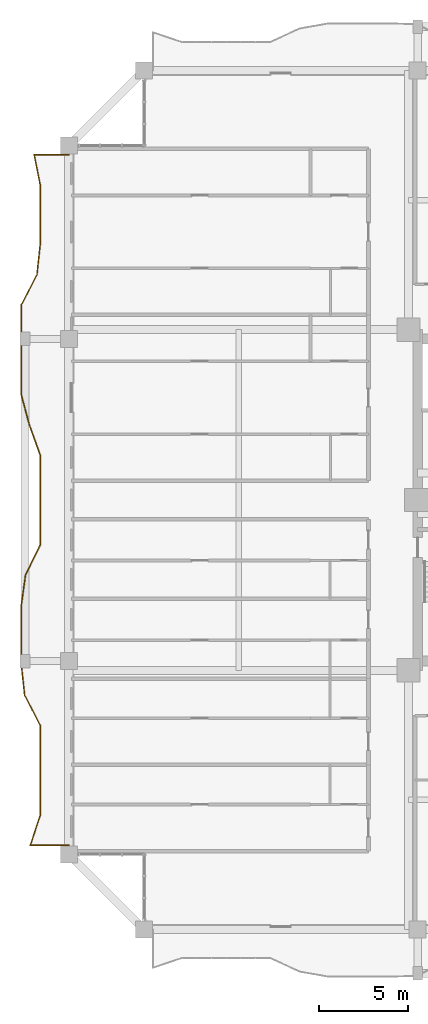
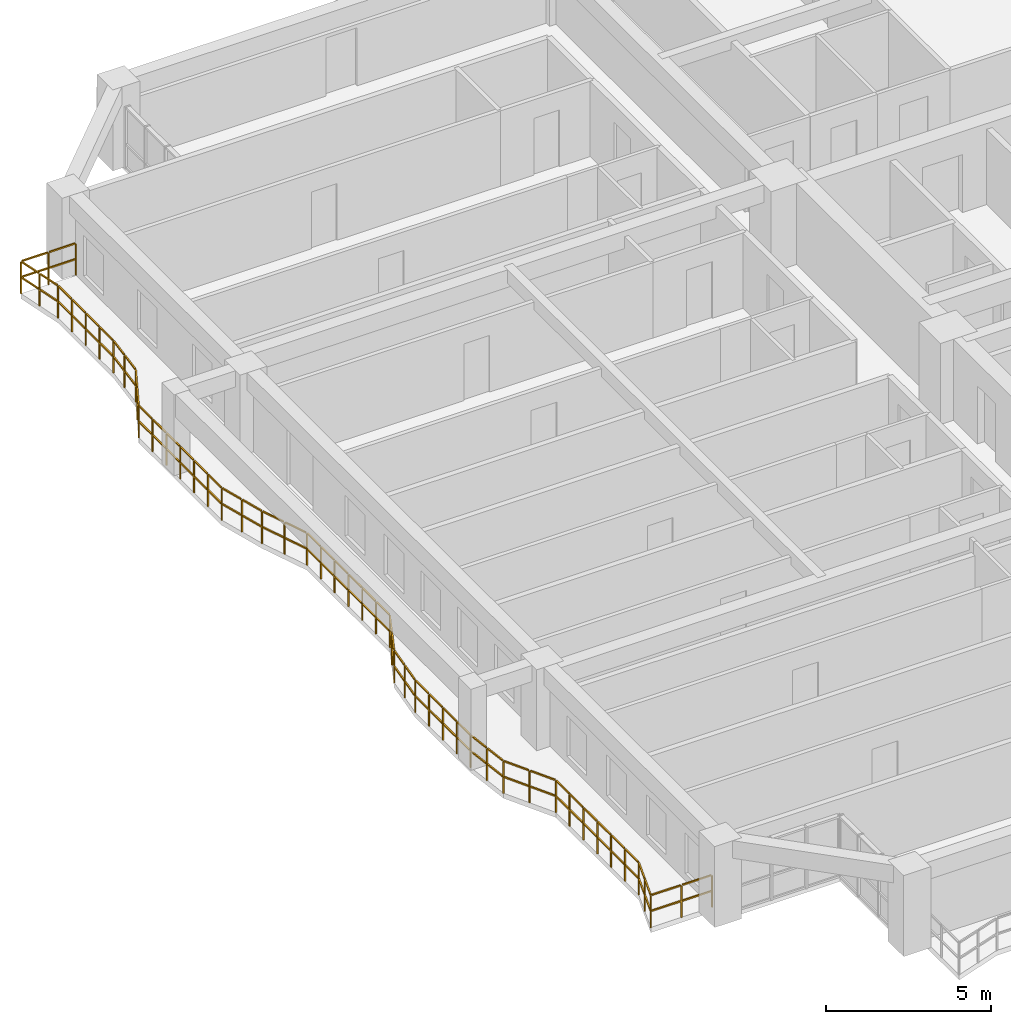
# One storey, part 21 of 24: 1 railing.
"""IFC4 building model written with IfcOpenShell, lengths in metres."""

from ifc_helpers import new_model, si_unit, direction, frame, origin, origin_2d, place, context, subcontext, project, spatial, rectangle, extrude, material, type_object, element, save


model = new_model("IFC4")

# Units and contexts
model_context = context("Model", 3, precision=1e-05, world=origin(), true_north=direction((0.0, 1.0)))
body_context = subcontext(model_context, "Body", "Model", "MODEL_VIEW")
ifc_project = project(units=[si_unit("LENGTHUNIT", "METRE"), si_unit("AREAUNIT", "SQUARE_METRE"), si_unit("VOLUMEUNIT", "CUBIC_METRE"), si_unit("PLANEANGLEUNIT", "RADIAN"), si_unit("MASSUNIT", "GRAM", prefix="KILO")], contexts=[model_context])

# Site, building, storey
site_placement = place(None, origin())
site = spatial("IfcSite", under=ifc_project, at=site_placement, CompositionType="ELEMENT")
building_placement = place(site_placement, origin())
building = spatial("IfcBuilding", under=site, at=building_placement, Name="Saelheon Loggia Tower", CompositionType="ELEMENT")
storey_placement = place(building_placement, frame((0.0, 0.0, 126.75)))
storey = spatial("IfcBuildingStorey", under=building, at=storey_placement, Name="L40", CompositionType="ELEMENT", Elevation=126.75)

# Railing
ifc_material = material(Name="Architectural Precast Concrete and Laminated Glass Guard", Category="concrete")
railing_type = type_object("IfcRailingType", Name="Guard_Loggia_RL_LOG", PredefinedType="BALUSTRADE", material=ifc_material)
railing_placement = place(storey_placement, frame((12.0, 46.300048828125, 0.0)))
element("IfcRailing", 1, at=railing_placement, inside=storey, type_object=railing_type, Name="L40 West Loggia Balustrade", PredefinedType="BALUSTRADE", context=body_context, shape_type="SweptSolid", body=[
    extrude(rectangle(XDim=0.048095703125, YDim=0.048095703125, at=origin_2d()), frame((-0.033203125, 0.0, 1.19580078125), z_axis=(-1.0, 0.0, 0.0), x_axis=(0.0, -1.0, 0.0)), (0.0, 0.0, 1.0), 0.900146484375),
    extrude(rectangle(XDim=0.048095703125, YDim=0.048095703125, at=origin_2d()), frame((-0.033203125, 0.0, 0.60986328125), z_axis=(-1.0, 0.0, 0.0), x_axis=(0.0, -1.0, 0.0)), (0.0, 0.0, 1.0), 0.900146484375),
    extrude(rectangle(XDim=0.048095703125, YDim=0.048095703125, at=origin_2d()), frame((-1.0, 0.0, 1.19580078125), z_axis=(-1.0, 0.0, 0.0), x_axis=(0.0, -1.0, 0.0)), (0.0, 0.0, 1.0), 0.900146484375),
    extrude(rectangle(XDim=0.048095703125, YDim=0.048095703125, at=origin_2d()), frame((-1.0, 0.0, 0.60986328125), z_axis=(-1.0, 0.0, 0.0), x_axis=(0.0, -1.0, 0.0)), (0.0, 0.0, 1.0), 0.900146484375),
    extrude(rectangle(XDim=0.048095703125, YDim=0.048095703125, at=origin_2d()), frame((-1.9267578125, -0.03271484375, 1.19580078125), z_axis=(0.194744119332, -0.980854080883, 0.0), x_axis=(0.980854080883, 0.194744119332, 0.0)), (0.0, 0.0, 1.0), 0.7890625),
    extrude(rectangle(XDim=0.048095703125, YDim=0.048095703125, at=origin_2d()), frame((-1.9267578125, -0.03271484375, 0.60986328125), z_axis=(0.194744119332, -0.980854080883, 0.0), x_axis=(0.980854080883, 0.194744119332, 0.0)), (0.0, 0.0, 1.0), 0.7890625),
    extrude(rectangle(XDim=0.048095703125, YDim=0.048095703125, at=origin_2d()), frame((-1.76025390625, -0.871826171875, 1.19580078125), z_axis=(0.194744119332, -0.980854080883, 0.0), x_axis=(0.980854080883, 0.194744119332, 0.0)), (0.0, 0.0, 1.0), 0.7890625),
    extrude(rectangle(XDim=0.048095703125, YDim=0.048095703125, at=origin_2d()), frame((-1.76025390625, -0.871826171875, 0.60986328125), z_axis=(0.194744119332, -0.980854080883, 0.0), x_axis=(0.980854080883, 0.194744119332, 0.0)), (0.0, 0.0, 1.0), 0.7890625),
    extrude(rectangle(XDim=0.048095703125, YDim=0.048095703125, at=origin_2d()), frame((-1.60009765625, -1.711669921875, 1.19580078125), z_axis=(0.0, -1.0, 0.0), x_axis=(1.0, 0.0, 0.0)), (0.0, 0.0, 1.0), 0.7724609375),
    extrude(rectangle(XDim=0.048095703125, YDim=0.048095703125, at=origin_2d()), frame((-1.60009765625, -1.711669921875, 0.60986328125), z_axis=(0.0, -1.0, 0.0), x_axis=(1.0, 0.0, 0.0)), (0.0, 0.0, 1.0), 0.7724609375),
    extrude(rectangle(XDim=0.048095703125, YDim=0.048095703125, at=origin_2d()), frame((-1.60009765625, -2.55078125, 1.19580078125), z_axis=(0.0, -1.0, 0.0), x_axis=(1.0, 0.0, 0.0)), (0.0, 0.0, 1.0), 0.7724609375),
    extrude(rectangle(XDim=0.048095703125, YDim=0.048095703125, at=origin_2d()), frame((-1.60009765625, -2.55078125, 0.60986328125), z_axis=(0.0, -1.0, 0.0), x_axis=(1.0, 0.0, 0.0)), (0.0, 0.0, 1.0), 0.7724609375),
    extrude(rectangle(XDim=0.048095703125, YDim=0.048095703125, at=origin_2d()), frame((-1.60009765625, -3.3896484375, 1.19580078125), z_axis=(0.0, -1.0, 0.0), x_axis=(1.0, 0.0, 0.0)), (0.0, 0.0, 1.0), 0.772705078125),
    extrude(rectangle(XDim=0.048095703125, YDim=0.048095703125, at=origin_2d()), frame((-1.60009765625, -3.3896484375, 0.60986328125), z_axis=(0.0, -1.0, 0.0), x_axis=(1.0, 0.0, 0.0)), (0.0, 0.0, 1.0), 0.772705078125),
    extrude(rectangle(XDim=0.048095703125, YDim=0.048095703125, at=origin_2d()), frame((-1.60009765625, -4.22900390625, 1.19580078125), z_axis=(0.0, -1.0, 0.0), x_axis=(1.0, 0.0, 0.0)), (0.0, 0.0, 1.0), 0.772705078125),
    extrude(rectangle(XDim=0.048095703125, YDim=0.048095703125, at=origin_2d()), frame((-1.60009765625, -4.22900390625, 0.60986328125), z_axis=(0.0, -1.0, 0.0), x_axis=(1.0, 0.0, 0.0)), (0.0, 0.0, 1.0), 0.772705078125),
    extrude(rectangle(XDim=0.048095703125, YDim=0.048095703125, at=origin_2d()), frame((-1.603759765625, -5.06787109375, 1.19580078125), z_axis=(-0.10731955736, -0.994224578558, 0.0), x_axis=(0.994224578558, -0.10731955736, 0.0)), (0.0, 0.0, 1.0), 0.777587890625),
    extrude(rectangle(XDim=0.048095703125, YDim=0.048095703125, at=origin_2d()), frame((-1.603759765625, -5.06787109375, 0.60986328125), z_axis=(-0.10731955736, -0.994224578558, 0.0), x_axis=(0.994224578558, -0.10731955736, 0.0)), (0.0, 0.0, 1.0), 0.777587890625),
    extrude(rectangle(XDim=0.048095703125, YDim=0.048095703125, at=origin_2d()), frame((-1.6943359375, -5.906982421875, 1.19580078125), z_axis=(-0.10731955736, -0.994224578558, 0.0), x_axis=(0.994224578558, -0.10731955736, 0.0)), (0.0, 0.0, 1.0), 0.777587890625),
    extrude(rectangle(XDim=0.048095703125, YDim=0.048095703125, at=origin_2d()), frame((-1.6943359375, -5.906982421875, 0.60986328125), z_axis=(-0.10731955736, -0.994224578558, 0.0), x_axis=(0.994224578558, -0.10731955736, 0.0)), (0.0, 0.0, 1.0), 0.777587890625),
    extrude(rectangle(XDim=0.048095703125, YDim=0.048095703125, at=origin_2d()), frame((-1.796630859375, -6.74267578125, 1.19580078125), z_axis=(-0.459675957683, -0.88808671532, 0.0), x_axis=(0.88808671532, -0.459675957683, 0.0)), (0.0, 0.0, 1.0), 0.87841796875),
    extrude(rectangle(XDim=0.048095703125, YDim=0.048095703125, at=origin_2d()), frame((-1.796630859375, -6.74267578125, 0.60986328125), z_axis=(-0.459675957683, -0.88808671532, 0.0), x_axis=(0.88808671532, -0.459675957683, 0.0)), (0.0, 0.0, 1.0), 0.87841796875),
    extrude(rectangle(XDim=0.048095703125, YDim=0.048095703125, at=origin_2d()), frame((-2.23095703125, -7.581787109375, 1.19580078125), z_axis=(-0.459675957683, -0.88808671532, 0.0), x_axis=(0.88808671532, -0.459675957683, 0.0)), (0.0, 0.0, 1.0), 0.87841796875),
    extrude(rectangle(XDim=0.048095703125, YDim=0.048095703125, at=origin_2d()), frame((-2.23095703125, -7.581787109375, 0.60986328125), z_axis=(-0.459675957683, -0.88808671532, 0.0), x_axis=(0.88808671532, -0.459675957683, 0.0)), (0.0, 0.0, 1.0), 0.87841796875),
    extrude(rectangle(XDim=0.048095703125, YDim=0.048095703125, at=origin_2d()), frame((-2.64990234375, -8.424560546875, 1.19580078125), z_axis=(0.0, -1.0, 0.0), x_axis=(1.0, 0.0, 0.0)), (0.0, 0.0, 1.0), 0.772705078125),
    extrude(rectangle(XDim=0.048095703125, YDim=0.048095703125, at=origin_2d()), frame((-2.64990234375, -8.424560546875, 0.60986328125), z_axis=(0.0, -1.0, 0.0), x_axis=(1.0, 0.0, 0.0)), (0.0, 0.0, 1.0), 0.772705078125),
    extrude(rectangle(XDim=0.048095703125, YDim=0.048095703125, at=origin_2d()), frame((-2.64990234375, -9.263671875, 1.19580078125), z_axis=(0.0, -1.0, 0.0), x_axis=(1.0, 0.0, 0.0)), (0.0, 0.0, 1.0), 0.772705078125),
    extrude(rectangle(XDim=0.048095703125, YDim=0.048095703125, at=origin_2d()), frame((-2.64990234375, -9.263671875, 0.60986328125), z_axis=(0.0, -1.0, 0.0), x_axis=(1.0, 0.0, 0.0)), (0.0, 0.0, 1.0), 0.772705078125),
    extrude(rectangle(XDim=0.048095703125, YDim=0.048095703125, at=origin_2d()), frame((-2.64990234375, -10.102783203125, 1.19580078125), z_axis=(0.0, -1.0, 0.0), x_axis=(1.0, 0.0, 0.0)), (0.0, 0.0, 1.0), 0.772705078125),
    extrude(rectangle(XDim=0.048095703125, YDim=0.048095703125, at=origin_2d()), frame((-2.64990234375, -10.102783203125, 0.60986328125), z_axis=(0.0, -1.0, 0.0), x_axis=(1.0, 0.0, 0.0)), (0.0, 0.0, 1.0), 0.772705078125),
    extrude(rectangle(XDim=0.048095703125, YDim=0.048095703125, at=origin_2d()), frame((-2.64990234375, -10.94189453125, 1.19580078125), z_axis=(0.0, -1.0, 0.0), x_axis=(1.0, 0.0, 0.0)), (0.0, 0.0, 1.0), 0.772705078125),
    extrude(rectangle(XDim=0.048095703125, YDim=0.048095703125, at=origin_2d()), frame((-2.64990234375, -10.94189453125, 0.60986328125), z_axis=(0.0, -1.0, 0.0), x_axis=(1.0, 0.0, 0.0)), (0.0, 0.0, 1.0), 0.772705078125),
    extrude(rectangle(XDim=0.048095703125, YDim=0.048095703125, at=origin_2d()), frame((-2.64990234375, -11.781005859375, 1.19580078125), z_axis=(0.0, -1.0, 0.0), x_axis=(1.0, 0.0, 0.0)), (0.0, 0.0, 1.0), 0.772705078125),
    extrude(rectangle(XDim=0.048095703125, YDim=0.048095703125, at=origin_2d()), frame((-2.64990234375, -11.781005859375, 0.60986328125), z_axis=(0.0, -1.0, 0.0), x_axis=(1.0, 0.0, 0.0)), (0.0, 0.0, 1.0), 0.772705078125),
    extrude(rectangle(XDim=0.048095703125, YDim=0.048095703125, at=origin_2d()), frame((-2.64990234375, -12.620361328125, 1.19580078125), z_axis=(0.0, -1.0, 0.0), x_axis=(1.0, 0.0, 0.0)), (0.0, 0.0, 1.0), 0.772705078125),
    extrude(rectangle(XDim=0.048095703125, YDim=0.048095703125, at=origin_2d()), frame((-2.64990234375, -12.620361328125, 0.60986328125), z_axis=(0.0, -1.0, 0.0), x_axis=(1.0, 0.0, 0.0)), (0.0, 0.0, 1.0), 0.772705078125),
    extrude(rectangle(XDim=0.048095703125, YDim=0.048095703125, at=origin_2d()), frame((-2.641357421875, -13.45849609375, 1.19580078125), z_axis=(0.257951367735, -0.966157902148, 0.0), x_axis=(0.966157902148, 0.257951367735, 0.0)), (0.0, 0.0, 1.0), 0.802001953125),
    extrude(rectangle(XDim=0.048095703125, YDim=0.048095703125, at=origin_2d()), frame((-2.641357421875, -13.45849609375, 0.60986328125), z_axis=(0.257951367735, -0.966157902148, 0.0), x_axis=(0.966157902148, 0.257951367735, 0.0)), (0.0, 0.0, 1.0), 0.802001953125),
    extrude(rectangle(XDim=0.048095703125, YDim=0.048095703125, at=origin_2d()), frame((-2.417236328125, -14.29736328125, 1.19580078125), z_axis=(0.257951367735, -0.966157902148, 0.0), x_axis=(0.966157902148, 0.257951367735, 0.0)), (0.0, 0.0, 1.0), 0.802001953125),
    extrude(rectangle(XDim=0.048095703125, YDim=0.048095703125, at=origin_2d()), frame((-2.417236328125, -14.29736328125, 0.60986328125), z_axis=(0.257951367735, -0.966157902148, 0.0), x_axis=(0.966157902148, 0.257951367735, 0.0)), (0.0, 0.0, 1.0), 0.802001953125),
    extrude(rectangle(XDim=0.048095703125, YDim=0.048095703125, at=origin_2d()), frame((-2.190673828125, -15.135498046875, 1.19580078125), z_axis=(0.337507079307, -0.941322989955, 0.0), x_axis=(0.941322989955, 0.337507079307, 0.0)), (0.0, 0.0, 1.0), 0.8251953125),
    extrude(rectangle(XDim=0.048095703125, YDim=0.048095703125, at=origin_2d()), frame((-2.190673828125, -15.135498046875, 0.60986328125), z_axis=(0.337507079307, -0.941322989955, 0.0), x_axis=(0.941322989955, 0.337507079307, 0.0)), (0.0, 0.0, 1.0), 0.8251953125),
    extrude(rectangle(XDim=0.048095703125, YDim=0.048095703125, at=origin_2d()), frame((-1.889892578125, -15.974853515625, 1.19580078125), z_axis=(0.337507079307, -0.941322989955, 0.0), x_axis=(0.941322989955, 0.337507079307, 0.0)), (0.0, 0.0, 1.0), 0.8251953125),
    extrude(rectangle(XDim=0.048095703125, YDim=0.048095703125, at=origin_2d()), frame((-1.889892578125, -15.974853515625, 0.60986328125), z_axis=(0.337507079307, -0.941322989955, 0.0), x_axis=(0.941322989955, 0.337507079307, 0.0)), (0.0, 0.0, 1.0), 0.8251953125),
    extrude(rectangle(XDim=0.048095703125, YDim=0.048095703125, at=origin_2d()), frame((-1.60009765625, -16.81591796875, 1.19580078125), z_axis=(0.0, -1.0, 0.0), x_axis=(1.0, 0.0, 0.0)), (0.0, 0.0, 1.0), 0.772705078125),
    extrude(rectangle(XDim=0.048095703125, YDim=0.048095703125, at=origin_2d()), frame((-1.60009765625, -16.81591796875, 0.60986328125), z_axis=(0.0, -1.0, 0.0), x_axis=(1.0, 0.0, 0.0)), (0.0, 0.0, 1.0), 0.772705078125),
    extrude(rectangle(XDim=0.048095703125, YDim=0.048095703125, at=origin_2d()), frame((-1.60009765625, -17.655029296875, 1.19580078125), z_axis=(0.0, -1.0, 0.0), x_axis=(1.0, 0.0, 0.0)), (0.0, 0.0, 1.0), 0.772705078125),
    extrude(rectangle(XDim=0.048095703125, YDim=0.048095703125, at=origin_2d()), frame((-1.60009765625, -17.655029296875, 0.60986328125), z_axis=(0.0, -1.0, 0.0), x_axis=(1.0, 0.0, 0.0)), (0.0, 0.0, 1.0), 0.772705078125),
    extrude(rectangle(XDim=0.048095703125, YDim=0.048095703125, at=origin_2d()), frame((-1.60009765625, -18.494140625, 1.19580078125), z_axis=(0.0, -1.0, 0.0), x_axis=(1.0, 0.0, 0.0)), (0.0, 0.0, 1.0), 0.772705078125),
    extrude(rectangle(XDim=0.048095703125, YDim=0.048095703125, at=origin_2d()), frame((-1.60009765625, -18.494140625, 0.60986328125), z_axis=(0.0, -1.0, 0.0), x_axis=(1.0, 0.0, 0.0)), (0.0, 0.0, 1.0), 0.772705078125),
    extrude(rectangle(XDim=0.048095703125, YDim=0.048095703125, at=origin_2d()), frame((-1.60009765625, -19.333251953125, 1.19580078125), z_axis=(0.0, -1.0, 0.0), x_axis=(1.0, 0.0, 0.0)), (0.0, 0.0, 1.0), 0.772705078125),
    extrude(rectangle(XDim=0.048095703125, YDim=0.048095703125, at=origin_2d()), frame((-1.60009765625, -19.333251953125, 0.60986328125), z_axis=(0.0, -1.0, 0.0), x_axis=(1.0, 0.0, 0.0)), (0.0, 0.0, 1.0), 0.772705078125),
    extrude(rectangle(XDim=0.048095703125, YDim=0.048095703125, at=origin_2d()), frame((-1.60009765625, -20.17236328125, 1.19580078125), z_axis=(0.0, -1.0, 0.0), x_axis=(1.0, 0.0, 0.0)), (0.0, 0.0, 1.0), 0.772705078125),
    extrude(rectangle(XDim=0.048095703125, YDim=0.048095703125, at=origin_2d()), frame((-1.60009765625, -20.17236328125, 0.60986328125), z_axis=(0.0, -1.0, 0.0), x_axis=(1.0, 0.0, 0.0)), (0.0, 0.0, 1.0), 0.772705078125),
    extrude(rectangle(XDim=0.048095703125, YDim=0.048095703125, at=origin_2d()), frame((-1.60009765625, -21.011474609375, 1.19580078125), z_axis=(0.0, -1.0, 0.0), x_axis=(1.0, 0.0, 0.0)), (0.0, 0.0, 1.0), 0.772705078125),
    extrude(rectangle(XDim=0.048095703125, YDim=0.048095703125, at=origin_2d()), frame((-1.60009765625, -21.011474609375, 0.60986328125), z_axis=(0.0, -1.0, 0.0), x_axis=(1.0, 0.0, 0.0)), (0.0, 0.0, 1.0), 0.772705078125),
    extrude(rectangle(XDim=0.048095703125, YDim=0.048095703125, at=origin_2d()), frame((-1.61474609375, -21.84716796875, 1.19580078125), z_axis=(-0.437931485797, -0.89900835021, 0.0), x_axis=(0.89900835021, -0.437931485797, 0.0)), (0.0, 0.0, 1.0), 0.866943359375),
    extrude(rectangle(XDim=0.048095703125, YDim=0.048095703125, at=origin_2d()), frame((-1.61474609375, -21.84716796875, 0.60986328125), z_axis=(-0.437931485797, -0.89900835021, 0.0), x_axis=(0.89900835021, -0.437931485797, 0.0)), (0.0, 0.0, 1.0), 0.866943359375),
    extrude(rectangle(XDim=0.048095703125, YDim=0.048095703125, at=origin_2d()), frame((-2.0234375, -22.6865234375, 1.19580078125), z_axis=(-0.437931485797, -0.89900835021, 0.0), x_axis=(0.89900835021, -0.437931485797, 0.0)), (0.0, 0.0, 1.0), 0.866943359375),
    extrude(rectangle(XDim=0.048095703125, YDim=0.048095703125, at=origin_2d()), frame((-2.0234375, -22.6865234375, 0.60986328125), z_axis=(-0.437931485797, -0.89900835021, 0.0), x_axis=(0.89900835021, -0.437931485797, 0.0)), (0.0, 0.0, 1.0), 0.866943359375),
    extrude(rectangle(XDim=0.048095703125, YDim=0.048095703125, at=origin_2d()), frame((-2.42236328125, -23.52880859375, 1.19580078125), z_axis=(-0.13706168357, -0.990562514381, 0.0), x_axis=(0.990562514381, -0.13706168357, 0.0)), (0.0, 0.0, 1.0), 0.780517578125),
    extrude(rectangle(XDim=0.048095703125, YDim=0.048095703125, at=origin_2d()), frame((-2.42236328125, -23.52880859375, 0.60986328125), z_axis=(-0.13706168357, -0.990562514381, 0.0), x_axis=(0.990562514381, -0.13706168357, 0.0)), (0.0, 0.0, 1.0), 0.780517578125),
    extrude(rectangle(XDim=0.048095703125, YDim=0.048095703125, at=origin_2d()), frame((-2.538330078125, -24.36767578125, 1.19580078125), z_axis=(-0.13706168357, -0.990562514381, 0.0), x_axis=(0.990562514381, -0.13706168357, 0.0)), (0.0, 0.0, 1.0), 0.780517578125),
    extrude(rectangle(XDim=0.048095703125, YDim=0.048095703125, at=origin_2d()), frame((-2.538330078125, -24.36767578125, 0.60986328125), z_axis=(-0.13706168357, -0.990562514381, 0.0), x_axis=(0.990562514381, -0.13706168357, 0.0)), (0.0, 0.0, 1.0), 0.780517578125),
    extrude(rectangle(XDim=0.048095703125, YDim=0.048095703125, at=origin_2d()), frame((-2.64990234375, -25.20703125, 1.19580078125), z_axis=(0.0, -1.0, 0.0), x_axis=(1.0, 0.0, 0.0)), (0.0, 0.0, 1.0), 0.772705078125),
    extrude(rectangle(XDim=0.048095703125, YDim=0.048095703125, at=origin_2d()), frame((-2.64990234375, -25.20703125, 0.60986328125), z_axis=(0.0, -1.0, 0.0), x_axis=(1.0, 0.0, 0.0)), (0.0, 0.0, 1.0), 0.772705078125),
    extrude(rectangle(XDim=0.048095703125, YDim=0.048095703125, at=origin_2d()), frame((-2.64990234375, -26.04638671875, 1.19580078125), z_axis=(0.0, -1.0, 0.0), x_axis=(1.0, 0.0, 0.0)), (0.0, 0.0, 1.0), 0.772705078125),
    extrude(rectangle(XDim=0.048095703125, YDim=0.048095703125, at=origin_2d()), frame((-2.64990234375, -26.04638671875, 0.60986328125), z_axis=(0.0, -1.0, 0.0), x_axis=(1.0, 0.0, 0.0)), (0.0, 0.0, 1.0), 0.772705078125),
    extrude(rectangle(XDim=0.048095703125, YDim=0.048095703125, at=origin_2d()), frame((-2.64990234375, -26.885498046875, 1.19580078125), z_axis=(0.0, -1.0, 0.0), x_axis=(1.0, 0.0, 0.0)), (0.0, 0.0, 1.0), 0.772705078125),
    extrude(rectangle(XDim=0.048095703125, YDim=0.048095703125, at=origin_2d()), frame((-2.64990234375, -26.885498046875, 0.60986328125), z_axis=(0.0, -1.0, 0.0), x_axis=(1.0, 0.0, 0.0)), (0.0, 0.0, 1.0), 0.772705078125),
    extrude(rectangle(XDim=0.048095703125, YDim=0.048095703125, at=origin_2d()), frame((-2.64990234375, -27.724609375, 1.19580078125), z_axis=(0.0, -1.0, 0.0), x_axis=(1.0, 0.0, 0.0)), (0.0, 0.0, 1.0), 0.772705078125),
    extrude(rectangle(XDim=0.048095703125, YDim=0.048095703125, at=origin_2d()), frame((-2.64990234375, -27.724609375, 0.60986328125), z_axis=(0.0, -1.0, 0.0), x_axis=(1.0, 0.0, 0.0)), (0.0, 0.0, 1.0), 0.772705078125),
    extrude(rectangle(XDim=0.048095703125, YDim=0.048095703125, at=origin_2d()), frame((-2.646240234375, -28.5634765625, 1.19580078125), z_axis=(0.107462523714, -0.994209135945, 0.0), x_axis=(0.994209135945, 0.107462523714, 0.0)), (0.0, 0.0, 1.0), 0.777587890625),
    extrude(rectangle(XDim=0.048095703125, YDim=0.048095703125, at=origin_2d()), frame((-2.646240234375, -28.5634765625, 0.60986328125), z_axis=(0.107462523714, -0.994209135945, 0.0), x_axis=(0.994209135945, 0.107462523714, 0.0)), (0.0, 0.0, 1.0), 0.777587890625),
    extrude(rectangle(XDim=0.048095703125, YDim=0.048095703125, at=origin_2d()), frame((-2.5556640625, -29.402587890625, 1.19580078125), z_axis=(0.107462523714, -0.994209135945, 0.0), x_axis=(0.994209135945, 0.107462523714, 0.0)), (0.0, 0.0, 1.0), 0.777587890625),
    extrude(rectangle(XDim=0.048095703125, YDim=0.048095703125, at=origin_2d()), frame((-2.5556640625, -29.402587890625, 0.60986328125), z_axis=(0.107462523714, -0.994209135945, 0.0), x_axis=(0.994209135945, 0.107462523714, 0.0)), (0.0, 0.0, 1.0), 0.777587890625),
    extrude(rectangle(XDim=0.048095703125, YDim=0.048095703125, at=origin_2d()), frame((-2.453125, -30.23828125, 1.19580078125), z_axis=(0.459574052733, -0.888139454171, 0.0), x_axis=(0.888139454171, 0.459574052733, 0.0)), (0.0, 0.0, 1.0), 0.87841796875),
    extrude(rectangle(XDim=0.048095703125, YDim=0.048095703125, at=origin_2d()), frame((-2.453125, -30.23828125, 0.60986328125), z_axis=(0.459574052733, -0.888139454171, 0.0), x_axis=(0.888139454171, 0.459574052733, 0.0)), (0.0, 0.0, 1.0), 0.87841796875),
    extrude(rectangle(XDim=0.048095703125, YDim=0.048095703125, at=origin_2d()), frame((-2.01904296875, -31.077392578125, 1.19580078125), z_axis=(0.459574052733, -0.888139454171, 0.0), x_axis=(0.888139454171, 0.459574052733, 0.0)), (0.0, 0.0, 1.0), 0.87841796875),
    extrude(rectangle(XDim=0.048095703125, YDim=0.048095703125, at=origin_2d()), frame((-2.01904296875, -31.077392578125, 0.60986328125), z_axis=(0.459574052733, -0.888139454171, 0.0), x_axis=(0.888139454171, 0.459574052733, 0.0)), (0.0, 0.0, 1.0), 0.87841796875),
    extrude(rectangle(XDim=0.048095703125, YDim=0.048095703125, at=origin_2d()), frame((-1.60009765625, -31.920166015625, 1.19580078125), z_axis=(0.0, -1.0, 0.0), x_axis=(1.0, 0.0, 0.0)), (0.0, 0.0, 1.0), 0.772705078125),
    extrude(rectangle(XDim=0.048095703125, YDim=0.048095703125, at=origin_2d()), frame((-1.60009765625, -31.920166015625, 0.60986328125), z_axis=(0.0, -1.0, 0.0), x_axis=(1.0, 0.0, 0.0)), (0.0, 0.0, 1.0), 0.772705078125),
    extrude(rectangle(XDim=0.048095703125, YDim=0.048095703125, at=origin_2d()), frame((-1.60009765625, -32.75927734375, 1.19580078125), z_axis=(0.0, -1.0, 0.0), x_axis=(1.0, 0.0, 0.0)), (0.0, 0.0, 1.0), 0.772705078125),
    extrude(rectangle(XDim=0.048095703125, YDim=0.048095703125, at=origin_2d()), frame((-1.60009765625, -32.75927734375, 0.60986328125), z_axis=(0.0, -1.0, 0.0), x_axis=(1.0, 0.0, 0.0)), (0.0, 0.0, 1.0), 0.772705078125),
    extrude(rectangle(XDim=0.048095703125, YDim=0.048095703125, at=origin_2d()), frame((-1.60009765625, -33.598388671875, 1.19580078125), z_axis=(0.0, -1.0, 0.0), x_axis=(1.0, 0.0, 0.0)), (0.0, 0.0, 1.0), 0.772705078125),
    extrude(rectangle(XDim=0.048095703125, YDim=0.048095703125, at=origin_2d()), frame((-1.60009765625, -33.598388671875, 0.60986328125), z_axis=(0.0, -1.0, 0.0), x_axis=(1.0, 0.0, 0.0)), (0.0, 0.0, 1.0), 0.772705078125),
    extrude(rectangle(XDim=0.048095703125, YDim=0.048095703125, at=origin_2d()), frame((-1.60009765625, -34.437744140625, 1.19580078125), z_axis=(0.0, -1.0, 0.0), x_axis=(1.0, 0.0, 0.0)), (0.0, 0.0, 1.0), 0.772705078125),
    extrude(rectangle(XDim=0.048095703125, YDim=0.048095703125, at=origin_2d()), frame((-1.60009765625, -34.437744140625, 0.60986328125), z_axis=(0.0, -1.0, 0.0), x_axis=(1.0, 0.0, 0.0)), (0.0, 0.0, 1.0), 0.772705078125),
    extrude(rectangle(XDim=0.048095703125, YDim=0.048095703125, at=origin_2d()), frame((-1.60009765625, -35.27685546875, 1.19580078125), z_axis=(0.0, -1.0, 0.0), x_axis=(1.0, 0.0, 0.0)), (0.0, 0.0, 1.0), 0.7724609375),
    extrude(rectangle(XDim=0.048095703125, YDim=0.048095703125, at=origin_2d()), frame((-1.60009765625, -35.27685546875, 0.60986328125), z_axis=(0.0, -1.0, 0.0), x_axis=(1.0, 0.0, 0.0)), (0.0, 0.0, 1.0), 0.7724609375),
    extrude(rectangle(XDim=0.048095703125, YDim=0.048095703125, at=origin_2d()), frame((-1.60009765625, -36.115966796875, 1.19580078125), z_axis=(0.0, -1.0, 0.0), x_axis=(1.0, 0.0, 0.0)), (0.0, 0.0, 1.0), 0.7724609375),
    extrude(rectangle(XDim=0.048095703125, YDim=0.048095703125, at=origin_2d()), frame((-1.60009765625, -36.115966796875, 0.60986328125), z_axis=(0.0, -1.0, 0.0), x_axis=(1.0, 0.0, 0.0)), (0.0, 0.0, 1.0), 0.7724609375),
    extrude(rectangle(XDim=0.048095703125, YDim=0.048095703125, at=origin_2d()), frame((-1.6103515625, -36.953125, 1.19580078125), z_axis=(-0.311288759302, -0.950315373091, 0.0), x_axis=(0.950315373091, -0.311288759302, 0.0)), (0.0, 0.0, 1.0), 0.816650390625),
    extrude(rectangle(XDim=0.048095703125, YDim=0.048095703125, at=origin_2d()), frame((-1.6103515625, -36.953125, 0.60986328125), z_axis=(-0.311288759302, -0.950315373091, 0.0), x_axis=(0.950315373091, -0.311288759302, 0.0)), (0.0, 0.0, 1.0), 0.816650390625),
    extrude(rectangle(XDim=0.048095703125, YDim=0.048095703125, at=origin_2d()), frame((-1.88525390625, -37.79248046875, 1.19580078125), z_axis=(-0.311288759302, -0.950315373091, 0.0), x_axis=(0.950315373091, -0.311288759302, 0.0)), (0.0, 0.0, 1.0), 0.816650390625),
    extrude(rectangle(XDim=0.048095703125, YDim=0.048095703125, at=origin_2d()), frame((-1.88525390625, -37.79248046875, 0.60986328125), z_axis=(-0.311288759302, -0.950315373091, 0.0), x_axis=(0.950315373091, -0.311288759302, 0.0)), (0.0, 0.0, 1.0), 0.816650390625),
    extrude(rectangle(XDim=0.048095703125, YDim=0.048095703125, at=origin_2d()), frame((-2.11669921875, -38.60009765625, 1.19580078125), z_axis=(1.0, 0.0, 0.0), x_axis=(0.0, 1.0, 0.0)), (0.0, 0.0, 1.0), 1.008544921875),
    extrude(rectangle(XDim=0.048095703125, YDim=0.048095703125, at=origin_2d()), frame((-2.11669921875, -38.60009765625, 0.60986328125), z_axis=(1.0, 0.0, 0.0), x_axis=(0.0, 1.0, 0.0)), (0.0, 0.0, 1.0), 1.008544921875),
    extrude(rectangle(XDim=0.048095703125, YDim=0.048095703125, at=origin_2d()), frame((-1.041748046875, -38.60009765625, 1.19580078125), z_axis=(1.0, 0.0, 0.0), x_axis=(0.0, 1.0, 0.0)), (0.0, 0.0, 1.0), 1.008544921875),
    extrude(rectangle(XDim=0.048095703125, YDim=0.048095703125, at=origin_2d()), frame((-1.041748046875, -38.60009765625, 0.60986328125), z_axis=(1.0, 0.0, 0.0), x_axis=(0.0, 1.0, 0.0)), (0.0, 0.0, 1.0), 1.008544921875),
    extrude(rectangle(XDim=0.0419921875, YDim=0.0419921875, at=origin_2d()), origin(), (0.0, 0.0, 1.0), 1.16796875),
    extrude(rectangle(XDim=0.0419921875, YDim=0.0419921875, at=origin_2d()), frame((-0.966796875, 0.0, 0.0)), (0.0, 0.0, 1.0), 1.16796875),
    extrude(rectangle(XDim=0.0419921875, YDim=0.0419921875, at=origin_2d()), frame((-1.933349609375, 0.0, 0.0)), (0.0, 0.0, 1.0), 1.16796875),
    extrude(rectangle(XDim=0.0419921875, YDim=0.0419921875, at=origin_2d()), frame((-1.7666015625, -0.83935546875, 0.0)), (0.0, 0.0, 1.0), 1.16796875),
    extrude(rectangle(XDim=0.0419921875, YDim=0.0419921875, at=origin_2d()), frame((-1.60009765625, -1.678466796875, 0.0)), (0.0, 0.0, 1.0), 1.16796875),
    extrude(rectangle(XDim=0.0419921875, YDim=0.0419921875, at=origin_2d()), frame((-1.60009765625, -2.517578125, 0.0)), (0.0, 0.0, 1.0), 1.16796875),
    extrude(rectangle(XDim=0.0419921875, YDim=0.0419921875, at=origin_2d()), frame((-1.60009765625, -3.3564453125, 0.0)), (0.0, 0.0, 1.0), 1.16796875),
    extrude(rectangle(XDim=0.0419921875, YDim=0.0419921875, at=origin_2d()), frame((-1.60009765625, -4.19580078125, 0.0)), (0.0, 0.0, 1.0), 1.16796875),
    extrude(rectangle(XDim=0.0419921875, YDim=0.0419921875, at=origin_2d()), frame((-1.60009765625, -5.034912109375, 0.0)), (0.0, 0.0, 1.0), 1.16796875),
    extrude(rectangle(XDim=0.0419921875, YDim=0.0419921875, at=origin_2d()), frame((-1.690673828125, -5.8740234375, 0.0)), (0.0, 0.0, 1.0), 1.16796875),
    extrude(rectangle(XDim=0.0419921875, YDim=0.0419921875, at=origin_2d()), frame((-1.78125, -6.713134765625, 0.0)), (0.0, 0.0, 1.0), 1.16796875),
    extrude(rectangle(XDim=0.0419921875, YDim=0.0419921875, at=origin_2d()), frame((-2.215576171875, -7.55224609375, 0.0)), (0.0, 0.0, 1.0), 1.16796875),
    extrude(rectangle(XDim=0.0419921875, YDim=0.0419921875, at=origin_2d()), frame((-2.64990234375, -8.391357421875, 0.0)), (0.0, 0.0, 1.0), 1.16796875),
    extrude(rectangle(XDim=0.0419921875, YDim=0.0419921875, at=origin_2d()), frame((-2.64990234375, -9.23046875, 0.0)), (0.0, 0.0, 1.0), 1.16796875),
    extrude(rectangle(XDim=0.0419921875, YDim=0.0419921875, at=origin_2d()), frame((-2.64990234375, -10.069580078125, 0.0)), (0.0, 0.0, 1.0), 1.16796875),
    extrude(rectangle(XDim=0.0419921875, YDim=0.0419921875, at=origin_2d()), frame((-2.64990234375, -10.90869140625, 0.0)), (0.0, 0.0, 1.0), 1.16796875),
    extrude(rectangle(XDim=0.0419921875, YDim=0.0419921875, at=origin_2d()), frame((-2.64990234375, -11.747802734375, 0.0)), (0.0, 0.0, 1.0), 1.16796875),
    extrude(rectangle(XDim=0.0419921875, YDim=0.0419921875, at=origin_2d()), frame((-2.64990234375, -12.5869140625, 0.0)), (0.0, 0.0, 1.0), 1.16796875),
    extrude(rectangle(XDim=0.0419921875, YDim=0.0419921875, at=origin_2d()), frame((-2.64990234375, -13.42626953125, 0.0)), (0.0, 0.0, 1.0), 1.16796875),
    extrude(rectangle(XDim=0.0419921875, YDim=0.0419921875, at=origin_2d()), frame((-2.42578125, -14.26513671875, 0.0)), (0.0, 0.0, 1.0), 1.16796875),
    extrude(rectangle(XDim=0.0419921875, YDim=0.0419921875, at=origin_2d()), frame((-2.201904296875, -15.104248046875, 0.0)), (0.0, 0.0, 1.0), 1.16796875),
    extrude(rectangle(XDim=0.0419921875, YDim=0.0419921875, at=origin_2d()), frame((-1.90087890625, -15.943359375, 0.0)), (0.0, 0.0, 1.0), 1.16796875),
    extrude(rectangle(XDim=0.0419921875, YDim=0.0419921875, at=origin_2d()), frame((-1.60009765625, -16.78271484375, 0.0)), (0.0, 0.0, 1.0), 1.16796875),
    extrude(rectangle(XDim=0.0419921875, YDim=0.0419921875, at=origin_2d()), frame((-1.60009765625, -17.621826171875, 0.0)), (0.0, 0.0, 1.0), 1.16796875),
    extrude(rectangle(XDim=0.0419921875, YDim=0.0419921875, at=origin_2d()), frame((-1.60009765625, -18.4609375, 0.0)), (0.0, 0.0, 1.0), 1.16796875),
    extrude(rectangle(XDim=0.0419921875, YDim=0.0419921875, at=origin_2d()), frame((-1.60009765625, -19.300048828125, 0.0)), (0.0, 0.0, 1.0), 1.16796875),
    extrude(rectangle(XDim=0.0419921875, YDim=0.0419921875, at=origin_2d()), frame((-1.60009765625, -20.13916015625, 0.0)), (0.0, 0.0, 1.0), 1.16796875),
    extrude(rectangle(XDim=0.0419921875, YDim=0.0419921875, at=origin_2d()), frame((-1.60009765625, -20.978271484375, 0.0)), (0.0, 0.0, 1.0), 1.16796875),
    extrude(rectangle(XDim=0.0419921875, YDim=0.0419921875, at=origin_2d()), frame((-1.60009765625, -21.8173828125, 0.0)), (0.0, 0.0, 1.0), 1.16796875),
    extrude(rectangle(XDim=0.0419921875, YDim=0.0419921875, at=origin_2d()), frame((-2.0087890625, -22.65673828125, 0.0)), (0.0, 0.0, 1.0), 1.16796875),
    extrude(rectangle(XDim=0.0419921875, YDim=0.0419921875, at=origin_2d()), frame((-2.417724609375, -23.495849609375, 0.0)), (0.0, 0.0, 1.0), 1.16796875),
    extrude(rectangle(XDim=0.0419921875, YDim=0.0419921875, at=origin_2d()), frame((-2.53369140625, -24.3349609375, 0.0)), (0.0, 0.0, 1.0), 1.16796875),
    extrude(rectangle(XDim=0.0419921875, YDim=0.0419921875, at=origin_2d()), frame((-2.64990234375, -25.173828125, 0.0)), (0.0, 0.0, 1.0), 1.16796875),
    extrude(rectangle(XDim=0.0419921875, YDim=0.0419921875, at=origin_2d()), frame((-2.64990234375, -26.01318359375, 0.0)), (0.0, 0.0, 1.0), 1.16796875),
    extrude(rectangle(XDim=0.0419921875, YDim=0.0419921875, at=origin_2d()), frame((-2.64990234375, -26.852294921875, 0.0)), (0.0, 0.0, 1.0), 1.16796875),
    extrude(rectangle(XDim=0.0419921875, YDim=0.0419921875, at=origin_2d()), frame((-2.64990234375, -27.69140625, 0.0)), (0.0, 0.0, 1.0), 1.16796875),
    extrude(rectangle(XDim=0.0419921875, YDim=0.0419921875, at=origin_2d()), frame((-2.64990234375, -28.530517578125, 0.0)), (0.0, 0.0, 1.0), 1.16796875),
    extrude(rectangle(XDim=0.0419921875, YDim=0.0419921875, at=origin_2d()), frame((-2.55908203125, -29.36962890625, 0.0)), (0.0, 0.0, 1.0), 1.16796875),
    extrude(rectangle(XDim=0.0419921875, YDim=0.0419921875, at=origin_2d()), frame((-2.468505859375, -30.208740234375, 0.0)), (0.0, 0.0, 1.0), 1.16796875),
    extrude(rectangle(XDim=0.0419921875, YDim=0.0419921875, at=origin_2d()), frame((-2.0341796875, -31.0478515625, 0.0)), (0.0, 0.0, 1.0), 1.16796875),
    extrude(rectangle(XDim=0.0419921875, YDim=0.0419921875, at=origin_2d()), frame((-1.60009765625, -31.886962890625, 0.0)), (0.0, 0.0, 1.0), 1.16796875),
    extrude(rectangle(XDim=0.0419921875, YDim=0.0419921875, at=origin_2d()), frame((-1.60009765625, -32.72607421875, 0.0)), (0.0, 0.0, 1.0), 1.16796875),
    extrude(rectangle(XDim=0.0419921875, YDim=0.0419921875, at=origin_2d()), frame((-1.60009765625, -33.565185546875, 0.0)), (0.0, 0.0, 1.0), 1.16796875),
    extrude(rectangle(XDim=0.0419921875, YDim=0.0419921875, at=origin_2d()), frame((-1.60009765625, -34.404296875, 0.0)), (0.0, 0.0, 1.0), 1.16796875),
    extrude(rectangle(XDim=0.0419921875, YDim=0.0419921875, at=origin_2d()), frame((-1.60009765625, -35.24365234375, 0.0)), (0.0, 0.0, 1.0), 1.16796875),
    extrude(rectangle(XDim=0.0419921875, YDim=0.0419921875, at=origin_2d()), frame((-1.60009765625, -36.08251953125, 0.0)), (0.0, 0.0, 1.0), 1.16796875),
    extrude(rectangle(XDim=0.0419921875, YDim=0.0419921875, at=origin_2d()), frame((-1.60009765625, -36.921630859375, 0.0)), (0.0, 0.0, 1.0), 1.16796875),
    extrude(rectangle(XDim=0.0419921875, YDim=0.0419921875, at=origin_2d()), frame((-1.875, -37.7607421875, 0.0)), (0.0, 0.0, 1.0), 1.16796875),
    extrude(rectangle(XDim=0.0419921875, YDim=0.0419921875, at=origin_2d()), frame((-2.14990234375, -38.60009765625, 0.0)), (0.0, 0.0, 1.0), 1.16796875),
    extrude(rectangle(XDim=0.0419921875, YDim=0.0419921875, at=origin_2d()), frame((-1.074951171875, -38.60009765625, 0.0)), (0.0, 0.0, 1.0), 1.16796875),
    extrude(rectangle(XDim=0.0419921875, YDim=0.0419921875, at=origin_2d()), frame((0.0, -38.60009765625, 0.0)), (0.0, 0.0, 1.0), 1.16796875),
])

save(model, "model.ifc")
